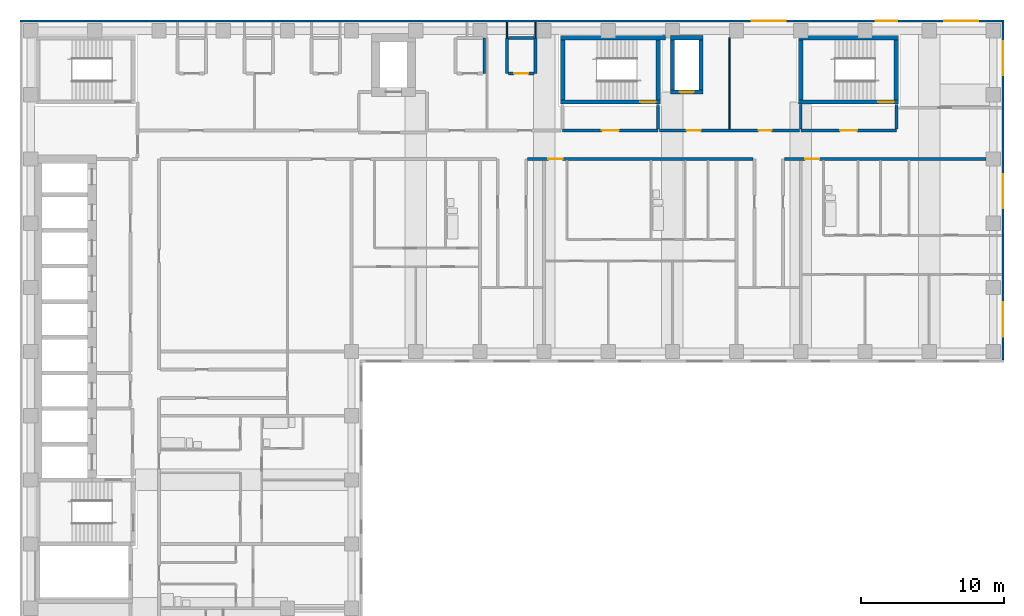
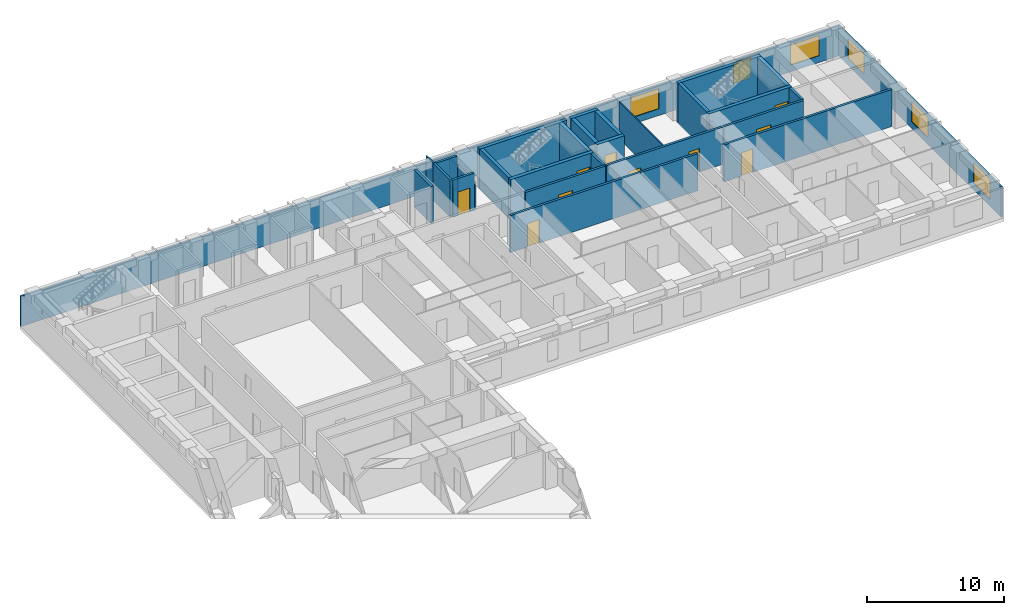
# One storey, part 8 of 12: 30 walls, 10 doors, 6 windows, 16 openings.
"""IFC4 building model written with IfcOpenShell, lengths in metres."""

from ifc_helpers import new_model, si_unit, direction, frame, frame_2d, origin, place, context, subcontext, project, spatial, rectangle, extrude, material, layer, layer_set, type_object, element, fill, save


model = new_model("IFC4")

# Units and contexts
model_context = context("Model", 3, precision=1e-05, world=origin(), true_north=direction((0.0, 1.0)))
body_context = subcontext(model_context, "Body", "Model", "MODEL_VIEW")
ifc_project = project(units=[si_unit("LENGTHUNIT", "METRE"), si_unit("AREAUNIT", "SQUARE_METRE"), si_unit("VOLUMEUNIT", "CUBIC_METRE"), si_unit("PLANEANGLEUNIT", "RADIAN"), si_unit("MASSUNIT", "GRAM", prefix="KILO")], contexts=[model_context])

# Site, building, storey
site_placement = place(None, origin())
site = spatial("IfcSite", under=ifc_project, at=site_placement, CompositionType="ELEMENT")
building_placement = place(site_placement, origin())
building = spatial("IfcBuilding", under=site, at=building_placement, Name="Firuza Court", CompositionType="ELEMENT")
storey_placement = place(building_placement, frame((0.0, 0.0, 148.39990234375)))
storey = spatial("IfcBuildingStorey", under=building, at=storey_placement, Name="L37", CompositionType="ELEMENT", Elevation=148.39990234375)

# Wall, opening, door
ifc_material_1 = material(Name="Concrete C60/75", Category="concrete")
ifc_layer_1 = layer(ifc_material_1, 0.300048828125)
ifc_layer_set_1 = layer_set([ifc_layer_1], Name="Concrete C60/75")
wall_type_1 = type_object("IfcWallType", Name="Core wall 300 C60/75", PredefinedType="SHEAR", material=ifc_layer_set_1)
wall_1_placement = place(storey_placement, frame((37.14990234375, 53.5, -0.2998046875), z_axis=(0.0, 0.0, 1.0), x_axis=(1.0, 0.0, 0.0)))
wall_1 = element("IfcWall", 1, at=wall_1_placement, inside=storey, type_object=wall_type_1, Name="Core wall stair L37", PredefinedType="SHEAR", context=body_context, shape_type="SweptSolid", body=[
    extrude(rectangle(XDim=7.0, YDim=0.300048828125, at=frame_2d((3.5, 0.0))), origin(), (0.0, 0.0, 1.0), 3.599853515625),
])
opening_1_placement = place(wall_1_placement, frame((5.580078125, 0.0, 0.300048828125)))
opening_1 = element("IfcOpeningElement", 2, at=opening_1_placement, cuts=wall_1, Name="Opening D37012", PredefinedType="OPENING", context=body_context, shape_type="SweptSolid", body=[
    extrude(rectangle(XDim=1.10009765625, YDim=2.10009765625, at=frame_2d((0.550048828125, 1.050048828125))), frame((0.0, 0.162109375, 0.0), z_axis=(0.0, -1.0, 0.0), x_axis=(1.0, 0.0, 0.0)), (0.0, 0.0, 1.0), 0.323974609375),
])
ifc_material_2 = material(Name="Timber door leaf in hardwood frame", Category="wood")
door_type_1 = type_object("IfcDoorType", Name="Stair door 1100", OperationType="SINGLE_SWING_LEFT", PredefinedType="DOOR", material=ifc_material_2)
door_1_placement = place(opening_1_placement, origin())
door_1 = element("IfcDoor", 3, at=door_1_placement, inside=storey, type_object=door_type_1, Name="Stair door S1", OperationType="SINGLE_SWING_RIGHT", OverallHeight=2.10009765625, OverallWidth=1.10009765625, PredefinedType="DOOR", context=body_context, shape_type="SweptSolid", body=[
    extrude(rectangle(XDim=1.10009765625, YDim=2.10009765625, at=frame_2d((0.550048828125, 1.050048828125))), frame((0.0, 0.02490234375, 0.0), z_axis=(0.0, -1.0, 0.0), x_axis=(1.0, 0.0, 0.0)), (0.0, 0.0, 1.0), 0.050048828125),
])
fill(opening_1, door_1)

# Walls
wall_2_placement = place(storey_placement, frame((37.14990234375, 58.0, -0.2998046875), z_axis=(0.0, 0.0, 1.0), x_axis=(1.0, 0.0, 0.0)))
element("IfcWall", 4, at=wall_2_placement, inside=storey, type_object=wall_type_1, Name="Core wall stair L37", PredefinedType="SHEAR", context=body_context, shape_type="SweptSolid", body=[
    extrude(rectangle(XDim=7.35009765625, YDim=0.300048828125, at=frame_2d((3.675048828125, 0.0))), origin(), (0.0, 0.0, 1.0), 3.599853515625),
])
for number, where, z_axis, x_axis, name in (
    (5, (37.300048828125, 53.64990234375, -0.2998046875), (0.0, 0.0, 1.0), (0.0, 1.0, 0.0), "Core wall stair L37"),
    (6, (44.0, 53.64990234375, -0.2998046875), (0.0, 0.0, 1.0), (0.0, 1.0, 0.0), "Core wall stair L37"),
):
    element("IfcWall", number, at=place(storey_placement, frame(where, z_axis=z_axis, x_axis=x_axis)), inside=storey, type_object=wall_type_1, Name=name, PredefinedType="SHEAR", context=body_context, shape_type="SweptSolid", body=[
        extrude(rectangle(XDim=4.2001953125, YDim=0.300048828125, at=frame_2d((2.10009765625, 0.0))), origin(), (0.0, 0.0, 1.0), 3.599853515625),
    ])

# Wall, opening, door
wall_3_placement = place(storey_placement, frame((44.85009765625, 54.199951171875, -0.2998046875), z_axis=(0.0, 0.0, 1.0), x_axis=(1.0, 0.0, 0.0)))
wall_3 = element("IfcWall", 7, at=wall_3_placement, inside=storey, type_object=wall_type_1, Name="Core wall riser L37", PredefinedType="SHEAR", context=body_context, shape_type="SweptSolid", body=[
    extrude(rectangle(XDim=2.2998046875, YDim=0.300048828125, at=frame_2d((1.14990234375, 0.0))), origin(), (0.0, 0.0, 1.0), 3.599853515625),
])
opening_2_placement = place(wall_3_placement, frame((0.64990234375, 0.0, 0.300048828125)))
opening_2 = element("IfcOpeningElement", 8, at=opening_2_placement, cuts=wall_3, Name="Opening D37010", PredefinedType="OPENING", context=body_context, shape_type="SweptSolid", body=[
    extrude(rectangle(XDim=1.0, YDim=2.10009765625, at=frame_2d((0.5, 1.050048828125))), frame((0.0, 0.162109375, 0.0), z_axis=(0.0, -1.0, 0.0), x_axis=(1.0, 0.0, 0.0)), (0.0, 0.0, 1.0), 0.323974609375),
])
ifc_material_3 = material(Name="Timber door leaf in hardwood frame", Category="wood")
door_type_2 = type_object("IfcDoorType", Name="Riser door 1000", OperationType="SINGLE_SWING_LEFT", PredefinedType="DOOR", material=ifc_material_3)
door_2_placement = place(opening_2_placement, origin())
door_2 = element("IfcDoor", 9, at=door_2_placement, inside=storey, type_object=door_type_2, Name="Riser door R3", OperationType="SINGLE_SWING_LEFT", OverallHeight=2.10009765625, OverallWidth=1.0, PredefinedType="DOOR", context=body_context, shape_type="SweptSolid", body=[
    extrude(rectangle(XDim=1.0, YDim=2.10009765625, at=frame_2d((0.5, 1.050048828125))), frame((0.0, 0.02490234375, 0.0), z_axis=(0.0, -1.0, 0.0), x_axis=(1.0, 0.0, 0.0)), (0.0, 0.0, 1.0), 0.050048828125),
])
fill(opening_2, door_2)

# Walls
wall_4_placement = place(storey_placement, frame((44.85009765625, 58.0, -0.2998046875), z_axis=(0.0, 0.0, 1.0), x_axis=(1.0, 0.0, 0.0)))
element("IfcWall", 10, at=wall_4_placement, inside=storey, type_object=wall_type_1, Name="Core wall riser L37", PredefinedType="SHEAR", context=body_context, shape_type="SweptSolid", body=[
    extrude(rectangle(XDim=2.2998046875, YDim=0.300048828125, at=frame_2d((1.14990234375, 0.0))), origin(), (0.0, 0.0, 1.0), 3.599853515625),
])
for number, where, z_axis, x_axis, name in (
    (11, (45.0, 54.35009765625, -0.2998046875), (0.0, 0.0, 1.0), (0.0, 1.0, 0.0), "Core wall riser L37"),
    (12, (47.0, 54.35009765625, -0.2998046875), (0.0, 0.0, 1.0), (0.0, 1.0, 0.0), "Core wall riser L37"),
):
    element("IfcWall", number, at=place(storey_placement, frame(where, z_axis=z_axis, x_axis=x_axis)), inside=storey, type_object=wall_type_1, Name=name, PredefinedType="SHEAR", context=body_context, shape_type="SweptSolid", body=[
        extrude(rectangle(XDim=3.5, YDim=0.300048828125, at=frame_2d((1.75, 0.0))), origin(), (0.0, 0.0, 1.0), 3.599853515625),
    ])

# Wall, opening, door
wall_5_placement = place(storey_placement, frame((53.85009765625, 53.5, -0.2998046875), z_axis=(0.0, 0.0, 1.0), x_axis=(1.0, 0.0, 0.0)))
wall_5 = element("IfcWall", 13, at=wall_5_placement, inside=storey, type_object=wall_type_1, Name="Core wall stair L37", PredefinedType="SHEAR", context=body_context, shape_type="SweptSolid", body=[
    extrude(rectangle(XDim=7.0, YDim=0.300048828125, at=frame_2d((3.5, 0.0))), origin(), (0.0, 0.0, 1.0), 3.599853515625),
])
opening_3_placement = place(wall_5_placement, frame((5.580078125, 0.0, 0.300048828125)))
opening_3 = element("IfcOpeningElement", 14, at=opening_3_placement, cuts=wall_5, Name="Opening D37016", PredefinedType="OPENING", context=body_context, shape_type="SweptSolid", body=[
    extrude(rectangle(XDim=1.10009765625, YDim=2.10009765625, at=frame_2d((0.550048828125, 1.050048828125))), frame((0.0, 0.162109375, 0.0), z_axis=(0.0, -1.0, 0.0), x_axis=(1.0, 0.0, 0.0)), (0.0, 0.0, 1.0), 0.323974609375),
])
door_3_placement = place(opening_3_placement, origin())
door_3 = element("IfcDoor", 15, at=door_3_placement, inside=storey, type_object=door_type_1, Name="Stair door S4", OperationType="SINGLE_SWING_RIGHT", OverallHeight=2.10009765625, OverallWidth=1.10009765625, PredefinedType="DOOR", context=body_context, shape_type="SweptSolid", body=[
    extrude(rectangle(XDim=1.10009765625, YDim=2.10009765625, at=frame_2d((0.550048828125, 1.050048828125))), frame((0.0, 0.02490234375, 0.0), z_axis=(0.0, -1.0, 0.0), x_axis=(1.0, 0.0, 0.0)), (0.0, 0.0, 1.0), 0.050048828125),
])
fill(opening_3, door_3)

# Walls
wall_6_placement = place(storey_placement, frame((53.85009765625, 58.0, -0.2998046875), z_axis=(0.0, 0.0, 1.0), x_axis=(1.0, 0.0, 0.0)))
element("IfcWall", 16, at=wall_6_placement, inside=storey, type_object=wall_type_1, Name="Core wall stair L37", PredefinedType="SHEAR", context=body_context, shape_type="SweptSolid", body=[
    extrude(rectangle(XDim=7.0, YDim=0.300048828125, at=frame_2d((3.5, 0.0))), origin(), (0.0, 0.0, 1.0), 3.599853515625),
])
for number, where, z_axis, x_axis, name in (
    (17, (54.0, 53.64990234375, -0.2998046875), (0.0, 0.0, 1.0), (0.0, 1.0, 0.0), "Core wall stair L37"),
    (18, (60.699951171875, 53.64990234375, -0.2998046875), (0.0, 0.0, 1.0), (0.0, 1.0, 0.0), "Core wall stair L37"),
):
    element("IfcWall", number, at=place(storey_placement, frame(where, z_axis=z_axis, x_axis=x_axis)), inside=storey, type_object=wall_type_1, Name=name, PredefinedType="SHEAR", context=body_context, shape_type="SweptSolid", body=[
        extrude(rectangle(XDim=4.2001953125, YDim=0.300048828125, at=frame_2d((2.10009765625, 0.0))), origin(), (0.0, 0.0, 1.0), 3.599853515625),
    ])

# Wall, opening, door
ifc_material_4 = material(Name="Blockwork, plastered both sides", Category="masonry")
ifc_layer_2 = layer(ifc_material_4, 0.199951171875)
ifc_layer_set_2 = layer_set([ifc_layer_2], Name="Blockwork, plastered both sides")
wall_type_2 = type_object("IfcWallType", Name="Corridor wall 200", PredefinedType="PARTITIONING", material=ifc_layer_set_2)
wall_7_placement = place(storey_placement, frame((34.85009765625, 49.5, 0.0), z_axis=(0.0, 0.0, 1.0), x_axis=(1.0, 0.0, 0.0)))
wall_7 = element("IfcWall", 19, at=wall_7_placement, inside=storey, type_object=wall_type_2, Name="Corridor wall 200 L37", PredefinedType="PARTITIONING", context=body_context, shape_type="SweptSolid", body=[
    extrude(rectangle(XDim=15.7998046875, YDim=0.199951171875, at=frame_2d((7.89990234375, 0.0))), origin(), (0.0, 0.0, 1.0), 3.300048828125),
])
opening_4_placement = place(wall_7_placement, frame((1.449951171875, 0.0, 0.0)))
opening_4 = element("IfcOpeningElement", 20, at=opening_4_placement, cuts=wall_7, Name="Opening D37068", PredefinedType="OPENING", context=body_context, shape_type="SweptSolid", body=[
    extrude(rectangle(XDim=1.0, YDim=2.10009765625, at=frame_2d((0.5, 1.050048828125))), frame((0.0, 0.11181640625, 0.0), z_axis=(0.0, -1.0, 0.0), x_axis=(1.0, 0.0, 0.0)), (0.0, 0.0, 1.0), 0.223876953125),
])
ifc_material_5 = material(Name="Timber door leaf in hardwood frame", Category="wood")
door_type_3 = type_object("IfcDoorType", Name="Flat entrance door 1000", OperationType="SINGLE_SWING_LEFT", PredefinedType="DOOR", material=ifc_material_5)
door_4_placement = place(opening_4_placement, origin())
door_4 = element("IfcDoor", 21, at=door_4_placement, inside=storey, type_object=door_type_3, Name="Flat entrance door", OperationType="SINGLE_SWING_LEFT", OverallHeight=2.10009765625, OverallWidth=1.0, PredefinedType="DOOR", context=body_context, shape_type="SweptSolid", body=[
    extrude(rectangle(XDim=1.0, YDim=2.10009765625, at=frame_2d((0.5, 1.050048828125))), frame((0.0, 0.02490234375, 0.0), z_axis=(0.0, -1.0, 0.0), x_axis=(1.0, 0.0, 0.0)), (0.0, 0.0, 1.0), 0.050048828125),
])
fill(opening_4, door_4)

wall_8_placement = place(storey_placement, frame((52.85009765625, 49.5, 0.0), z_axis=(0.0, 0.0, 1.0), x_axis=(1.0, 0.0, 0.0)))
wall_8 = element("IfcWall", 22, at=wall_8_placement, inside=storey, type_object=wall_type_2, Name="Corridor wall 200 L37", PredefinedType="PARTITIONING", context=body_context, shape_type="SweptSolid", body=[
    extrude(rectangle(XDim=14.14990234375, YDim=0.199951171875, at=frame_2d((7.074951171875, 0.0))), origin(), (0.0, 0.0, 1.0), 3.300048828125),
])
opening_5_placement = place(wall_8_placement, frame((1.449951171875, 0.0, 0.0)))
opening_5 = element("IfcOpeningElement", 23, at=opening_5_placement, cuts=wall_8, Name="Opening D37069", PredefinedType="OPENING", context=body_context, shape_type="SweptSolid", body=[
    extrude(rectangle(XDim=1.0, YDim=2.10009765625, at=frame_2d((0.5, 1.050048828125))), frame((0.0, 0.11181640625, 0.0), z_axis=(0.0, -1.0, 0.0), x_axis=(1.0, 0.0, 0.0)), (0.0, 0.0, 1.0), 0.223876953125),
])
door_5_placement = place(opening_5_placement, origin())
door_5 = element("IfcDoor", 24, at=door_5_placement, inside=storey, type_object=door_type_3, Name="Flat entrance door", OperationType="SINGLE_SWING_LEFT", OverallHeight=2.10009765625, OverallWidth=1.0, PredefinedType="DOOR", context=body_context, shape_type="SweptSolid", body=[
    extrude(rectangle(XDim=1.0, YDim=2.10009765625, at=frame_2d((0.5, 1.050048828125))), frame((0.0, 0.02490234375, 0.0), z_axis=(0.0, -1.0, 0.0), x_axis=(1.0, 0.0, 0.0)), (0.0, 0.0, 1.0), 0.050048828125),
])
fill(opening_5, door_5)

# Wall, openings, doors
wall_9_placement = place(storey_placement, frame((44.10009765625, 51.5, 0.0), z_axis=(0.0, 0.0, 1.0), x_axis=(1.0, 0.0, 0.0)))
wall_9 = element("IfcWall", 25, at=wall_9_placement, inside=storey, type_object=wall_type_2, Name="Corridor wall 200 L37", PredefinedType="PARTITIONING", context=body_context, shape_type="SweptSolid", body=[
    extrude(rectangle(XDim=9.7998046875, YDim=0.199951171875, at=frame_2d((4.89990234375, 0.0))), origin(), (0.0, 0.0, 1.0), 3.300048828125),
])
opening_6_placement = place(wall_9_placement, frame((1.89990234375, 0.0, 0.0)))
opening_6 = element("IfcOpeningElement", 26, at=opening_6_placement, cuts=wall_9, Name="Opening D37074", PredefinedType="OPENING", context=body_context, shape_type="SweptSolid", body=[
    extrude(rectangle(XDim=1.0, YDim=2.10009765625, at=frame_2d((0.5, 1.050048828125))), frame((0.0, 0.11181640625, 0.0), z_axis=(0.0, -1.0, 0.0), x_axis=(1.0, 0.0, 0.0)), (0.0, 0.0, 1.0), 0.223876953125),
])
opening_7_placement = place(wall_9_placement, frame((6.949951171875, 0.0, 0.0)))
opening_7 = element("IfcOpeningElement", 27, at=opening_7_placement, cuts=wall_9, Name="Opening D37075", PredefinedType="OPENING", context=body_context, shape_type="SweptSolid", body=[
    extrude(rectangle(XDim=0.89990234375, YDim=2.10009765625, at=frame_2d((0.449951171875, 1.050048828125))), frame((0.0, 0.11181640625, 0.0), z_axis=(0.0, -1.0, 0.0), x_axis=(1.0, 0.0, 0.0)), (0.0, 0.0, 1.0), 0.223876953125),
])
ifc_material_6 = material(Name="Timber door leaf in hardwood frame", Category="wood")
door_type_4 = type_object("IfcDoorType", Name="Room door 900 EI 30", OperationType="SINGLE_SWING_LEFT", PredefinedType="DOOR", material=ifc_material_6)
door_6_placement = place(opening_7_placement, origin())
door_6 = element("IfcDoor", 28, at=door_6_placement, inside=storey, type_object=door_type_4, Name="Meeting room door", OperationType="SINGLE_SWING_LEFT", OverallHeight=2.10009765625, OverallWidth=0.89990234375, PredefinedType="DOOR", context=body_context, shape_type="SweptSolid", body=[
    extrude(rectangle(XDim=0.89990234375, YDim=2.10009765625, at=frame_2d((0.449951171875, 1.050048828125))), frame((0.0, 0.02490234375, 0.0), z_axis=(0.0, -1.0, 0.0), x_axis=(1.0, 0.0, 0.0)), (0.0, 0.0, 1.0), 0.050048828125),
])
fill(opening_7, door_6)
ifc_material_7 = material(Name="Timber door leaf in hardwood frame", Category="wood")
door_type_5 = type_object("IfcDoorType", Name="Store door 1000", OperationType="SINGLE_SWING_LEFT", PredefinedType="DOOR", material=ifc_material_7)
door_7_placement = place(opening_6_placement, origin())
door_7 = element("IfcDoor", 29, at=door_7_placement, inside=storey, type_object=door_type_5, Name="Valet store door", OperationType="SINGLE_SWING_LEFT", OverallHeight=2.10009765625, OverallWidth=1.0, PredefinedType="DOOR", context=body_context, shape_type="SweptSolid", body=[
    extrude(rectangle(XDim=1.0, YDim=2.10009765625, at=frame_2d((0.5, 1.050048828125))), frame((0.0, 0.02490234375, 0.0), z_axis=(0.0, -1.0, 0.0), x_axis=(1.0, 0.0, 0.0)), (0.0, 0.0, 1.0), 0.050048828125),
])
fill(opening_6, door_7)

# Walls
ifc_material_8 = material(Name="Timber stud partition, plasterboard both sides", Category="wood")
ifc_layer_3 = layer(ifc_material_8, 0.10009765625)
ifc_layer_set_3 = layer_set([ifc_layer_3], Name="Timber stud partition, plasterboard both sides")
wall_type_3 = type_object("IfcWallType", Name="Partition wall 100", PredefinedType="PARTITIONING", material=ifc_layer_set_3)
wall_10_placement = place(storey_placement, frame((49.0, 51.60009765625, 0.0), z_axis=(0.0, 0.0, 1.0), x_axis=(0.0, 1.0, 0.0)))
element("IfcWall", 30, at=wall_10_placement, inside=storey, type_object=wall_type_3, Name="Partition wall 100 L37", PredefinedType="PARTITIONING", context=body_context, shape_type="SweptSolid", body=[
    extrude(rectangle(XDim=6.39990234375, YDim=0.10009765625, at=frame_2d((3.199951171875, 0.0))), origin(), (0.0, 0.0, 1.0), 3.300048828125),
])
wall_11_placement = place(storey_placement, frame((33.39990234375, 58.0, 0.0), z_axis=(0.0, 0.0, 1.0), x_axis=(0.0, 1.0, 0.0)))
element("IfcWall", 31, at=wall_11_placement, inside=storey, type_object=wall_type_3, Name="Partition wall 100 L37", PredefinedType="PARTITIONING", context=body_context, shape_type="SweptSolid", body=[
    extrude(rectangle(XDim=1.10009765625, YDim=0.10009765625, at=frame_2d((0.550048828125, 0.0))), origin(), (0.0, 0.0, 1.0), 3.300048828125),
])
wall_12_placement = place(storey_placement, frame((35.39990234375, 58.0, 0.0), z_axis=(0.0, 0.0, 1.0), x_axis=(0.0, 1.0, 0.0)))
element("IfcWall", 32, at=wall_12_placement, inside=storey, type_object=wall_type_3, Name="Partition wall 100 L37", PredefinedType="PARTITIONING", context=body_context, shape_type="SweptSolid", body=[
    extrude(rectangle(XDim=1.10009765625, YDim=0.10009765625, at=frame_2d((0.550048828125, 0.0))), origin(), (0.0, 0.0, 1.0), 2.400146484375),
])
ifc_material_9 = material(Name="Blockwork, fire-rated", Category="masonry")
ifc_layer_4 = layer(ifc_material_9, 0.199951171875)
ifc_layer_set_4 = layer_set([ifc_layer_4], Name="Blockwork, fire-rated")
wall_type_4 = type_object("IfcWallType", Name="Plant room wall 200", PredefinedType="PARTITIONING", material=ifc_layer_set_4)
for number, where, z_axis, x_axis, name in (
    (33, (31.800048828125, 55.5, 0.0), (0.0, 0.0, 1.0), (0.0, 1.0, 0.0), "Plant room wall 200 L37"),
    (34, (33.39990234375, 55.5, 0.0), (0.0, 0.0, 1.0), (0.0, 1.0, 0.0), "Plant room wall 200 L37"),
):
    element("IfcWall", number, at=place(storey_placement, frame(where, z_axis=z_axis, x_axis=x_axis)), inside=storey, type_object=wall_type_4, Name=name, PredefinedType="PARTITIONING", context=body_context, shape_type="SweptSolid", body=[
        extrude(rectangle(XDim=2.5, YDim=0.199951171875, at=frame_2d((1.25, 0.0))), origin(), (0.0, 0.0, 1.0), 3.300048828125),
    ])

# Wall, opening, door
wall_13_placement = place(storey_placement, frame((33.5, 55.5, 0.0), z_axis=(0.0, 0.0, 1.0), x_axis=(1.0, 0.0, 0.0)))
wall_13 = element("IfcWall", 35, at=wall_13_placement, inside=storey, type_object=wall_type_4, Name="Plant room wall 200 L37", PredefinedType="PARTITIONING", context=body_context, shape_type="SweptSolid", body=[
    extrude(rectangle(XDim=1.800048828125, YDim=0.199951171875, at=frame_2d((0.89990234375, 0.0))), origin(), (0.0, 0.0, 1.0), 3.300048828125),
])
opening_8_placement = place(wall_13_placement, frame((0.39990234375, 0.0, 0.0)))
opening_8 = element("IfcOpeningElement", 36, at=opening_8_placement, cuts=wall_13, Name="Opening D37081", PredefinedType="OPENING", context=body_context, shape_type="SweptSolid", body=[
    extrude(rectangle(XDim=1.0, YDim=2.10009765625, at=frame_2d((0.5, 1.050048828125))), frame((0.0, 0.11181640625, 0.0), z_axis=(0.0, -1.0, 0.0), x_axis=(1.0, 0.0, 0.0)), (0.0, 0.0, 1.0), 0.223876953125),
])
door_8_placement = place(opening_8_placement, origin())
door_8 = element("IfcDoor", 37, at=door_8_placement, inside=storey, type_object=door_type_2, Name="Duct riser door", OperationType="SINGLE_SWING_LEFT", OverallHeight=2.10009765625, OverallWidth=1.0, PredefinedType="DOOR", context=body_context, shape_type="SweptSolid", body=[
    extrude(rectangle(XDim=1.0, YDim=2.10009765625, at=frame_2d((0.5, 1.050048828125))), frame((0.0, 0.02490234375, 0.0), z_axis=(0.0, -1.0, 0.0), x_axis=(1.0, 0.0, 0.0)), (0.0, 0.0, 1.0), 0.050048828125),
])
fill(opening_8, door_8)

# Walls
wall_14_placement = place(storey_placement, frame((35.39990234375, 55.5, 0.0), z_axis=(0.0, 0.0, 1.0), x_axis=(0.0, 1.0, 0.0)))
element("IfcWall", 38, at=wall_14_placement, inside=storey, type_object=wall_type_4, Name="Plant room wall 200 L37", PredefinedType="PARTITIONING", context=body_context, shape_type="SweptSolid", body=[
    extrude(rectangle(XDim=2.5, YDim=0.199951171875, at=frame_2d((1.25, 0.0))), origin(), (0.0, 0.0, 1.0), 2.400146484375),
])
wall_15_placement = place(storey_placement, frame((33.5, 58.0, 0.0), z_axis=(0.0, 0.0, 1.0), x_axis=(1.0, 0.0, 0.0)))
element("IfcWall", 39, at=wall_15_placement, inside=storey, type_object=wall_type_4, Name="Plant room wall 200 L37", PredefinedType="PARTITIONING", context=body_context, shape_type="SweptSolid", body=[
    extrude(rectangle(XDim=1.800048828125, YDim=0.199951171875, at=frame_2d((0.89990234375, 0.0))), origin(), (0.0, 0.0, 1.0), 3.300048828125),
])

# Wall, openings, windows
ifc_material_10 = material(Name="Ceramic tile", Category="ceramic")
ifc_layer_5 = layer(ifc_material_10, 0.02001953125)
ifc_material_11 = material(Name="Mineral wool insulation", Category="insulation")
ifc_layer_6 = layer(ifc_material_11, 0.050048828125)
ifc_material_12 = material(Name="Concrete C40/50 precast", Category="concrete")
ifc_layer_7 = layer(ifc_material_12, 0.080078125)
ifc_layer_set_5 = layer_set([ifc_layer_5, ifc_layer_6, ifc_layer_7], Name="Concrete C40/50 precast")
wall_type_5 = type_object("IfcWallType", Name="Precast cladding wall with turquoise TILE PANEL face 150", PredefinedType="STANDARD", material=ifc_layer_set_5)
wall_16_placement = place(storey_placement, frame((68.175048828125, 35.39990234375, 0.0), z_axis=(0.0, 0.0, 1.0), x_axis=(0.0, 1.0, 0.0)))
wall_16 = element("IfcWall", 40, at=wall_16_placement, inside=storey, type_object=wall_type_5, Name="Facade wall L37 E", PredefinedType="STANDARD", context=body_context, shape_type="SweptSolid", body=[
    extrude(rectangle(XDim=23.85009765625, YDim=0.14990234375, at=frame_2d((11.925048828125, 0.0))), origin(), (0.0, 0.0, 1.0), 2.7001953125),
])
opening_9_placement = place(wall_16_placement, frame((1.64990234375, 0.0, 0.60009765625)))
opening_9 = element("IfcOpeningElement", 41, at=opening_9_placement, cuts=wall_16, Name="Opening W1", PredefinedType="OPENING", context=body_context, shape_type="SweptSolid", body=[
    extrude(rectangle(XDim=2.39990234375, YDim=1.800048828125, at=frame_2d((1.199951171875, 0.89990234375))), frame((0.0, 0.0869140625, 0.0), z_axis=(0.0, -1.0, 0.0), x_axis=(1.0, 0.0, 0.0)), (0.0, 0.0, 1.0), 0.173828125),
])
opening_10_placement = place(wall_16_placement, frame((10.64990234375, 0.0, 0.60009765625)))
opening_10 = element("IfcOpeningElement", 42, at=opening_10_placement, cuts=wall_16, Name="Opening W1", PredefinedType="OPENING", context=body_context, shape_type="SweptSolid", body=[
    extrude(rectangle(XDim=2.39990234375, YDim=1.800048828125, at=frame_2d((1.199951171875, 0.89990234375))), frame((0.0, 0.0869140625, 0.0), z_axis=(0.0, -1.0, 0.0), x_axis=(1.0, 0.0, 0.0)), (0.0, 0.0, 1.0), 0.173828125),
])
opening_11_placement = place(wall_16_placement, frame((19.972900390625, 0.0, 0.60009765625)))
opening_11 = element("IfcOpeningElement", 43, at=opening_11_placement, cuts=wall_16, Name="Opening W1", PredefinedType="OPENING", context=body_context, shape_type="SweptSolid", body=[
    extrude(rectangle(XDim=2.39990234375, YDim=1.800048828125, at=frame_2d((1.199951171875, 0.89990234375))), frame((0.0, 0.0869140625, 0.0), z_axis=(0.0, -1.0, 0.0), x_axis=(1.0, 0.0, 0.0)), (0.0, 0.0, 1.0), 0.173828125),
])
ifc_material_13 = material(Name="Aluminium frame, triple clear glazing", Category="aluminium")
window_type_1 = type_object("IfcWindowType", Name="Window W1 2400 x 1800", PartitioningType="SINGLE_PANEL", PredefinedType="WINDOW", material=ifc_material_13)
window_1_placement = place(opening_9_placement, origin())
window_1 = element("IfcWindow", 44, at=window_1_placement, inside=storey, type_object=window_type_1, Name="Window L37", OverallHeight=1.800048828125, OverallWidth=2.39990234375, PartitioningType="SINGLE_PANEL", PredefinedType="WINDOW", context=body_context, shape_type="SweptSolid", body=[
    extrude(rectangle(XDim=2.39990234375, YDim=1.800048828125, at=frame_2d((1.199951171875, 0.89990234375))), frame((0.0, 0.030029296875, 0.0), z_axis=(0.0, -1.0, 0.0), x_axis=(1.0, 0.0, 0.0)), (0.0, 0.0, 1.0), 0.06005859375),
])
fill(opening_9, window_1)
window_2_placement = place(opening_10_placement, origin())
window_2 = element("IfcWindow", 45, at=window_2_placement, inside=storey, type_object=window_type_1, Name="Window L37", OverallHeight=1.800048828125, OverallWidth=2.39990234375, PartitioningType="SINGLE_PANEL", PredefinedType="WINDOW", context=body_context, shape_type="SweptSolid", body=[
    extrude(rectangle(XDim=2.39990234375, YDim=1.800048828125, at=frame_2d((1.199951171875, 0.89990234375))), frame((0.0, 0.030029296875, 0.0), z_axis=(0.0, -1.0, 0.0), x_axis=(1.0, 0.0, 0.0)), (0.0, 0.0, 1.0), 0.06005859375),
])
fill(opening_10, window_2)
window_3_placement = place(opening_11_placement, origin())
window_3 = element("IfcWindow", 46, at=window_3_placement, inside=storey, type_object=window_type_1, Name="Window L37", OverallHeight=1.800048828125, OverallWidth=2.39990234375, PartitioningType="SINGLE_PANEL", PredefinedType="WINDOW", context=body_context, shape_type="SweptSolid", body=[
    extrude(rectangle(XDim=2.39990234375, YDim=1.800048828125, at=frame_2d((1.199951171875, 0.89990234375))), frame((0.0, 0.030029296875, 0.0), z_axis=(0.0, -1.0, 0.0), x_axis=(1.0, 0.0, 0.0)), (0.0, 0.0, 1.0), 0.06005859375),
])
fill(opening_11, window_3)

wall_17_placement = place(storey_placement, frame((68.10009765625, 59.175048828125, 0.0), z_axis=(0.0, 0.0, 1.0), x_axis=(-1.0, 0.0, 0.0)))
wall_17 = element("IfcWall", 47, at=wall_17_placement, inside=storey, type_object=wall_type_5, Name="Facade wall L37 N", PredefinedType="STANDARD", context=body_context, shape_type="SweptSolid", body=[
    extrude(rectangle(XDim=68.85009765625, YDim=0.14990234375, at=frame_2d((34.425048828125, 0.0))), origin(), (0.0, 0.0, 1.0), 2.7001953125),
])
opening_12_placement = place(wall_17_placement, frame((1.64990234375, 0.0, 0.60009765625)))
opening_12 = element("IfcOpeningElement", 48, at=opening_12_placement, cuts=wall_17, Name="Opening W1", PredefinedType="OPENING", context=body_context, shape_type="SweptSolid", body=[
    extrude(rectangle(XDim=2.39990234375, YDim=1.800048828125, at=frame_2d((1.199951171875, 0.89990234375))), frame((0.0, 0.0869140625, 0.0), z_axis=(0.0, -1.0, 0.0), x_axis=(1.0, 0.0, 0.0)), (0.0, 0.0, 1.0), 0.173828125),
])
opening_13_placement = place(wall_17_placement, frame((7.3466796875, 0.0, 0.60009765625)))
opening_13 = element("IfcOpeningElement", 49, at=opening_13_placement, cuts=wall_17, Name="Opening W2", PredefinedType="OPENING", context=body_context, shape_type="SweptSolid", body=[
    extrude(rectangle(XDim=1.5, YDim=1.800048828125, at=frame_2d((0.75, 0.89990234375))), frame((0.0, 0.0869140625, 0.0), z_axis=(0.0, -1.0, 0.0), x_axis=(1.0, 0.0, 0.0)), (0.0, 0.0, 1.0), 0.173828125),
])
opening_14_placement = place(wall_17_placement, frame((15.14990234375, 0.0, 0.60009765625)))
opening_14 = element("IfcOpeningElement", 50, at=opening_14_placement, cuts=wall_17, Name="Opening W1", PredefinedType="OPENING", context=body_context, shape_type="SweptSolid", body=[
    extrude(rectangle(XDim=2.39990234375, YDim=1.800048828125, at=frame_2d((1.199951171875, 0.89990234375))), frame((0.0, 0.0869140625, 0.0), z_axis=(0.0, -1.0, 0.0), x_axis=(1.0, 0.0, 0.0)), (0.0, 0.0, 1.0), 0.173828125),
])
window_4_placement = place(opening_12_placement, origin())
window_4 = element("IfcWindow", 51, at=window_4_placement, inside=storey, type_object=window_type_1, Name="Window L37", OverallHeight=1.800048828125, OverallWidth=2.39990234375, PartitioningType="SINGLE_PANEL", PredefinedType="WINDOW", context=body_context, shape_type="SweptSolid", body=[
    extrude(rectangle(XDim=2.39990234375, YDim=1.800048828125, at=frame_2d((1.199951171875, 0.89990234375))), frame((0.0, 0.030029296875, 0.0), z_axis=(0.0, -1.0, 0.0), x_axis=(1.0, 0.0, 0.0)), (0.0, 0.0, 1.0), 0.06005859375),
])
fill(opening_12, window_4)
window_5_placement = place(opening_14_placement, origin())
window_5 = element("IfcWindow", 52, at=window_5_placement, inside=storey, type_object=window_type_1, Name="Window L37", OverallHeight=1.800048828125, OverallWidth=2.39990234375, PartitioningType="SINGLE_PANEL", PredefinedType="WINDOW", context=body_context, shape_type="SweptSolid", body=[
    extrude(rectangle(XDim=2.39990234375, YDim=1.800048828125, at=frame_2d((1.199951171875, 0.89990234375))), frame((0.0, 0.030029296875, 0.0), z_axis=(0.0, -1.0, 0.0), x_axis=(1.0, 0.0, 0.0)), (0.0, 0.0, 1.0), 0.06005859375),
])
fill(opening_14, window_5)
ifc_material_14 = material(Name="Aluminium frame, triple clear glazing", Category="aluminium")
window_type_2 = type_object("IfcWindowType", Name="Window W2 1500 x 1800", PartitioningType="SINGLE_PANEL", PredefinedType="WINDOW", material=ifc_material_14)
window_6_placement = place(opening_13_placement, origin())
window_6 = element("IfcWindow", 53, at=window_6_placement, inside=storey, type_object=window_type_2, Name="Window L37", OverallHeight=1.800048828125, OverallWidth=1.5, PartitioningType="SINGLE_PANEL", PredefinedType="WINDOW", context=body_context, shape_type="SweptSolid", body=[
    extrude(rectangle(XDim=1.5, YDim=1.800048828125, at=frame_2d((0.75, 0.89990234375))), frame((0.0, 0.030029296875, 0.0), z_axis=(0.0, -1.0, 0.0), x_axis=(1.0, 0.0, 0.0)), (0.0, 0.0, 1.0), 0.06005859375),
])
fill(opening_13, window_6)

# Wall, opening, door
ifc_layer_8 = layer(ifc_material_9, 0.199951171875)
ifc_layer_set_6 = layer_set([ifc_layer_8], Name="Blockwork, fire-rated")
wall_type_6 = type_object("IfcWallType", Name="Shaft wall 200", PredefinedType="PARTITIONING", material=ifc_layer_set_6)
wall_18_placement = place(storey_placement, frame((37.300048828125, 51.5, 0.0), z_axis=(0.0, 0.0, 1.0), x_axis=(1.0, 0.0, 0.0)))
wall_18 = element("IfcWall", 54, at=wall_18_placement, inside=storey, type_object=wall_type_6, Name="Shaft wall 200 L37", PredefinedType="PARTITIONING", context=body_context, shape_type="SweptSolid", body=[
    extrude(rectangle(XDim=6.699951171875, YDim=0.199951171875, at=frame_2d((3.35009765625, 0.0))), origin(), (0.0, 0.0, 1.0), 3.300048828125),
])
opening_15_placement = place(wall_18_placement, frame((2.75, 0.0, 0.0)))
opening_15 = element("IfcOpeningElement", 55, at=opening_15_placement, cuts=wall_18, Name="Opening D37006", PredefinedType="OPENING", context=body_context, shape_type="SweptSolid", body=[
    extrude(rectangle(XDim=1.199951171875, YDim=2.10009765625, at=frame_2d((0.60009765625, 1.050048828125))), frame((0.0, 0.11181640625, 0.0), z_axis=(0.0, -1.0, 0.0), x_axis=(1.0, 0.0, 0.0)), (0.0, 0.0, 1.0), 0.223876953125),
])
ifc_material_15 = material(Name="Timber door leaf in hardwood frame", Category="wood")
door_type_6 = type_object("IfcDoorType", Name="Lobby door 1200", OperationType="SINGLE_SWING_LEFT", PredefinedType="DOOR", material=ifc_material_15)
door_9_placement = place(opening_15_placement, origin())
door_9 = element("IfcDoor", 56, at=door_9_placement, inside=storey, type_object=door_type_6, Name="Lobby door", OperationType="SINGLE_SWING_LEFT", OverallHeight=2.10009765625, OverallWidth=1.199951171875, PredefinedType="DOOR", context=body_context, shape_type="SweptSolid", body=[
    extrude(rectangle(XDim=1.199951171875, YDim=2.10009765625, at=frame_2d((0.60009765625, 1.050048828125))), frame((0.0, 0.02490234375, 0.0), z_axis=(0.0, -1.0, 0.0), x_axis=(1.0, 0.0, 0.0)), (0.0, 0.0, 1.0), 0.050048828125),
])
fill(opening_15, door_9)

# Wall
wall_19_placement = place(storey_placement, frame((44.0, 51.60009765625, 0.0), z_axis=(0.0, 0.0, 1.0), x_axis=(0.0, 1.0, 0.0)))
element("IfcWall", 57, at=wall_19_placement, inside=storey, type_object=wall_type_6, Name="Shaft wall 200 L37", PredefinedType="PARTITIONING", context=body_context, shape_type="SweptSolid", body=[
    extrude(rectangle(XDim=1.72998046875, YDim=0.199951171875, at=frame_2d((0.864990234375, 0.0))), origin(), (0.0, 0.0, 1.0), 3.300048828125),
])

# Wall, opening, door
wall_20_placement = place(storey_placement, frame((54.0, 51.5, 0.0), z_axis=(0.0, 0.0, 1.0), x_axis=(1.0, 0.0, 0.0)))
wall_20 = element("IfcWall", 58, at=wall_20_placement, inside=storey, type_object=wall_type_6, Name="Shaft wall 200 L37", PredefinedType="PARTITIONING", context=body_context, shape_type="SweptSolid", body=[
    extrude(rectangle(XDim=6.699951171875, YDim=0.199951171875, at=frame_2d((3.35009765625, 0.0))), origin(), (0.0, 0.0, 1.0), 3.300048828125),
])
opening_16_placement = place(wall_20_placement, frame((2.75, 0.0, 0.0)))
opening_16 = element("IfcOpeningElement", 59, at=opening_16_placement, cuts=wall_20, Name="Opening D37007", PredefinedType="OPENING", context=body_context, shape_type="SweptSolid", body=[
    extrude(rectangle(XDim=1.199951171875, YDim=2.10009765625, at=frame_2d((0.60009765625, 1.050048828125))), frame((0.0, 0.11181640625, 0.0), z_axis=(0.0, -1.0, 0.0), x_axis=(1.0, 0.0, 0.0)), (0.0, 0.0, 1.0), 0.223876953125),
])
door_10_placement = place(opening_16_placement, origin())
door_10 = element("IfcDoor", 60, at=door_10_placement, inside=storey, type_object=door_type_6, Name="Lobby door", OperationType="SINGLE_SWING_LEFT", OverallHeight=2.10009765625, OverallWidth=1.199951171875, PredefinedType="DOOR", context=body_context, shape_type="SweptSolid", body=[
    extrude(rectangle(XDim=1.199951171875, YDim=2.10009765625, at=frame_2d((0.60009765625, 1.050048828125))), frame((0.0, 0.02490234375, 0.0), z_axis=(0.0, -1.0, 0.0), x_axis=(1.0, 0.0, 0.0)), (0.0, 0.0, 1.0), 0.050048828125),
])
fill(opening_16, door_10)

# Walls
wall_21_placement = place(storey_placement, frame((60.699951171875, 51.60009765625, 0.0), z_axis=(0.0, 0.0, 1.0), x_axis=(0.0, 1.0, 0.0)))
element("IfcWall", 61, at=wall_21_placement, inside=storey, type_object=wall_type_6, Name="Shaft wall 200 L37", PredefinedType="PARTITIONING", context=body_context, shape_type="SweptSolid", body=[
    extrude(rectangle(XDim=1.72998046875, YDim=0.199951171875, at=frame_2d((0.864990234375, 0.0))), origin(), (0.0, 0.0, 1.0), 3.300048828125),
])
wall_22_placement = place(storey_placement, frame((54.0, 51.60009765625, 0.0), z_axis=(0.0, 0.0, 1.0), x_axis=(0.0, 1.0, 0.0)))
element("IfcWall", 62, at=wall_22_placement, inside=storey, type_object=wall_type_6, Name="Shaft wall 200 L37", PredefinedType="PARTITIONING", context=body_context, shape_type="SweptSolid", body=[
    extrude(rectangle(XDim=1.72998046875, YDim=0.199951171875, at=frame_2d((0.864990234375, 0.0))), origin(), (0.0, 0.0, 1.0), 2.60009765625),
])

save(model, "model.ifc")
